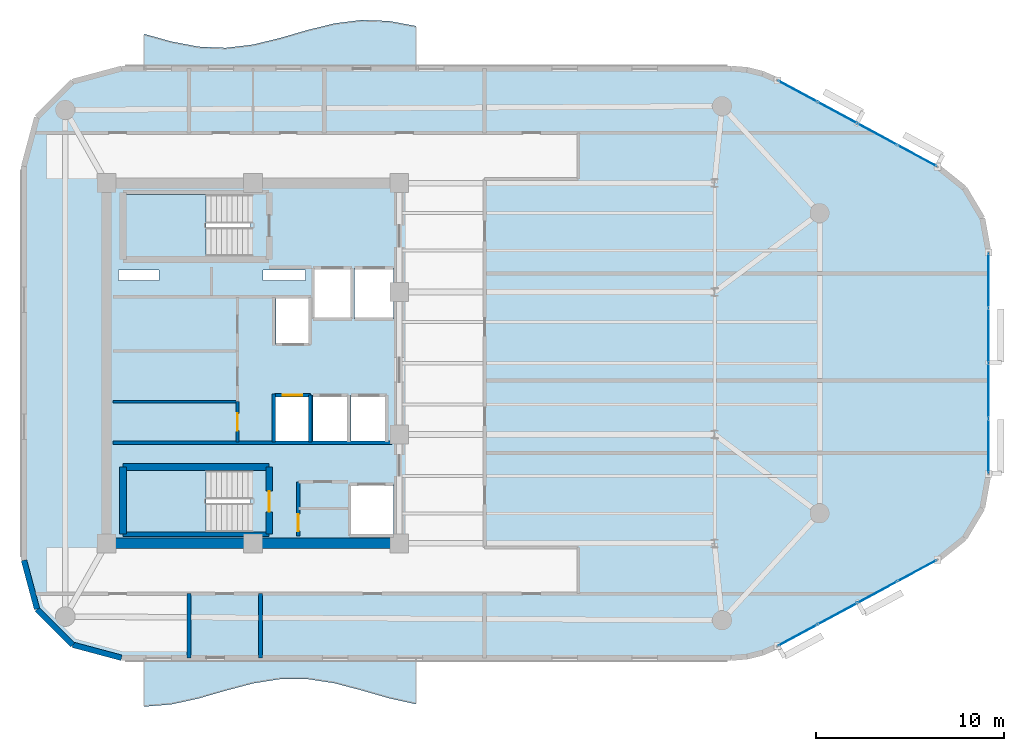
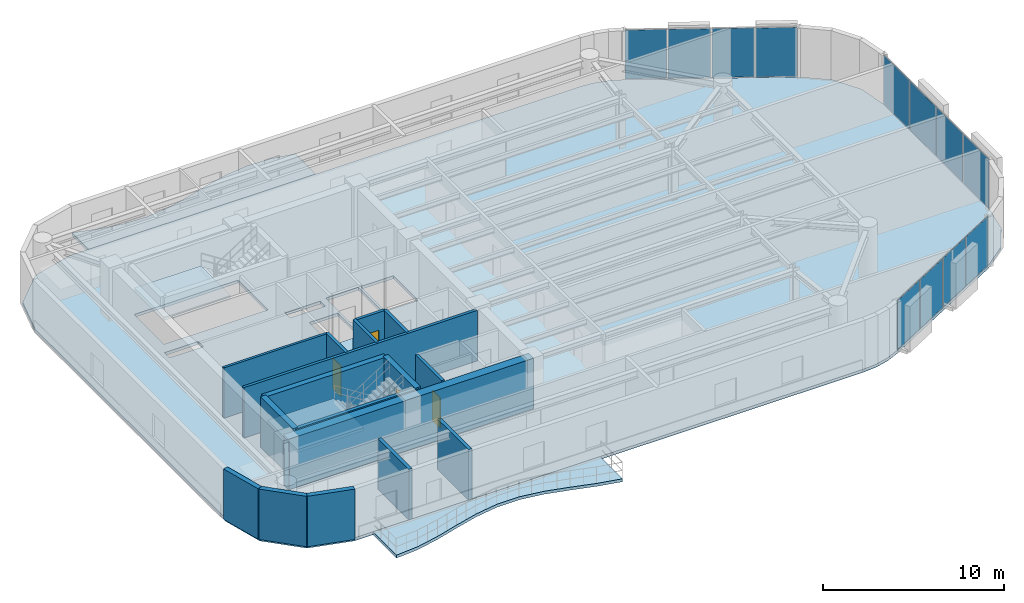
# One storey, part 8 of 13: 17 walls, 12 plates, 5 slabs, 4 doors, 4 openings, 5 elements without a shape of their own.
"""IFC4 building model written with IfcOpenShell, lengths in metres."""

import ifcopenshell
import ifcopenshell.guid

model = None  # the IFC model being written
_history = None  # IfcOwnerHistory: only IFC2X3 demands one
_inside = {}  # id of a spatial element -> (the spatial element, [elements in it])
_under = {}  # id of a project, library or spatial element -> (it, [spatial elements below it])
_declared = {}  # id of a project -> (the project, [libraries it declares])
_typed = {}  # id of a type object -> (the type object, [elements of that type])
_made_of = {}  # id of a material, layer set ... -> (it, [elements and type objects made of it])


def new_model(schema):
    """Start an empty IFC model of exactly this schema.

    Asked for "IFC4X3", IfcOpenShell would pick the latest addendum, in which some entities
    have other attributes; the version numbers below select the first issue.
    IFC2X3 requires an IfcOwnerHistory on every rooted entity: one is made here for all.
    """
    global model, _history
    if schema == "IFC4X3":
        model = ifcopenshell.file(schema_version=(4, 3, 0, 0))
    else:
        model = ifcopenshell.file(schema=schema)
    _inside.clear()
    _under.clear()
    _declared.clear()
    _typed.clear()
    _made_of.clear()
    _history = None
    if model.schema == "IFC2X3":
        org = make("IfcOrganization", Name="unknown")
        user = make(
            "IfcPersonAndOrganization",
            ThePerson=make("IfcPerson", FamilyName="unknown"),
            TheOrganization=org,
        )
        app = make(
            "IfcApplication",
            ApplicationDeveloper=org,
            Version="unknown",
            ApplicationFullName="unknown",
            ApplicationIdentifier="unknown",
        )
        _history = make(
            "IfcOwnerHistory",
            OwningUser=user,
            OwningApplication=app,
            ChangeAction="ADDED",
            CreationDate=0,
        )
    return model


def make(cls, **values):
    """One entity of the class cls with the attributes given. An attribute that is None is left unset."""
    return model.create_entity(
        cls, **{name: value for name, value in values.items() if value is not None}
    )


def rooted(cls, **values):
    """An entity with a GlobalId (a new one), such as an element, a storey or a relation."""
    return make(cls, GlobalId=ifcopenshell.guid.new(), OwnerHistory=_history, **values)


def si_unit(unit_type, name, prefix=None):
    """IfcSIUnit, for example si_unit("LENGTHUNIT", "METRE", prefix="MILLI")."""
    return make("IfcSIUnit", UnitType=unit_type, Prefix=prefix, Name=name)


def assignment(units):
    """IfcUnitAssignment: the units of a project."""
    return None if units is None else make("IfcUnitAssignment", Units=units)


def point(xyz):
    """IfcCartesianPoint."""
    return None if xyz is None else make("IfcCartesianPoint", Coordinates=xyz)


def direction(xyz):
    """IfcDirection."""
    return None if xyz is None else make("IfcDirection", DirectionRatios=xyz)


def frame(location, z_axis=None, x_axis=None):
    """IfcAxis2Placement3D, a coordinate frame: its origin and axes. An axis left out is left unset."""
    return make(
        "IfcAxis2Placement3D",
        Location=point(location),
        Axis=direction(z_axis),
        RefDirection=direction(x_axis),
    )


def frame_2d(location, x_axis=None):
    """IfcAxis2Placement2D, a coordinate frame in the plane: its origin and x axis."""
    return make(
        "IfcAxis2Placement2D", Location=point(location), RefDirection=direction(x_axis)
    )


def origin():
    """The frame at (0, 0, 0) with its axes left unset."""
    return frame((0.0, 0.0, 0.0))


def origin_2d():
    """The frame at (0, 0) in the plane with its x axis left unset."""
    return frame_2d((0.0, 0.0))


def place(relative_to, where):
    """IfcLocalPlacement: puts the frame where relative to a parent placement (None: the world)."""
    return make(
        "IfcLocalPlacement", PlacementRelTo=relative_to, RelativePlacement=where
    )


def context(
    kind, dimensions, precision=None, world=None, true_north=None, identifier=None
):
    """IfcGeometricRepresentationContext, for example the 3D "Model" context."""
    return make(
        "IfcGeometricRepresentationContext",
        ContextIdentifier=identifier,
        ContextType=kind,
        CoordinateSpaceDimension=dimensions,
        Precision=precision,
        WorldCoordinateSystem=world,
        TrueNorth=true_north,
    )


def subcontext(parent, identifier, kind, view, scale=None):
    """IfcGeometricRepresentationSubContext, for example "Body" below "Model"."""
    return make(
        "IfcGeometricRepresentationSubContext",
        ContextIdentifier=identifier,
        ContextType=kind,
        ParentContext=parent,
        TargetScale=scale,
        TargetView=view,
    )


def project(units=None, contexts=None):
    """IfcProject with its units and contexts."""
    return rooted(
        "IfcProject",
        Name="project",
        RepresentationContexts=contexts,
        UnitsInContext=assignment(units),
    )


def spatial(cls, under=None, at=None, **own):
    """A site, building, storey or space (cls), placed at a placement, below another one or the project."""
    s = rooted(cls, ObjectPlacement=at, **own)
    if under is not None:
        _under.setdefault(under.id(), (under, []))[1].append(s)
    return s


def polyline(points):
    """IfcPolyline through the points."""
    return make("IfcPolyline", Points=[point(p) for p in points])


def profile(cls, at=None, kind="AREA", **sizes):
    """A parametric profile (cls). Its sizes go by their IFC names, for example OverallWidth=200.0."""
    return make(cls, ProfileType=kind, Position=at, **sizes)


def rectangle(**sizes):
    """IfcRectangleProfileDef."""
    return profile("IfcRectangleProfileDef", **sizes)


def outline(outer, holes=None, kind="AREA"):
    """IfcArbitraryClosedProfileDef: a profile drawn as a closed curve; with holes, ...WithVoids."""
    if holes is None:
        return make("IfcArbitraryClosedProfileDef", ProfileType=kind, OuterCurve=outer)
    return make(
        "IfcArbitraryProfileDefWithVoids",
        ProfileType=kind,
        OuterCurve=outer,
        InnerCurves=holes,
    )


def extrude(swept, where, along, depth):
    """IfcExtrudedAreaSolid: the profile swept, set in the frame where, extruded along a direction by depth."""
    return make(
        "IfcExtrudedAreaSolid",
        SweptArea=swept,
        Position=where,
        ExtrudedDirection=direction(along),
        Depth=depth,
    )


def shape(context_of_items, identifier, shape_type, items):
    """IfcShapeRepresentation: the items that make up one representation, for example the "Body"."""
    return make(
        "IfcShapeRepresentation",
        ContextOfItems=context_of_items,
        RepresentationIdentifier=identifier,
        RepresentationType=shape_type,
        Items=items,
    )


def material(Name=None, Category=None):
    """IfcMaterial."""
    return make("IfcMaterial", Name=Name, Category=Category)


def layer(
    of_material, thickness, ventilated=None, Name=None, Category=None, Priority=None
):
    """IfcMaterialLayer: one layer of a wall or slab, of a material (None: an air gap)."""
    return make(
        "IfcMaterialLayer",
        Material=of_material,
        LayerThickness=thickness,
        IsVentilated=ventilated,
        Name=Name,
        Category=Category,
        Priority=Priority,
    )


def layer_set(layers, Name=None):
    """IfcMaterialLayerSet."""
    return make("IfcMaterialLayerSet", MaterialLayers=layers, LayerSetName=Name)


def made_of(thing, what):
    """Note that an element or type object is made of a material, layer set ...; save() writes the relation."""
    if what is not None:
        _made_of.setdefault(what.id(), (what, []))[1].append(thing)
    return thing


def type_object(cls, material=None, **own):
    """A type object (cls), such as IfcWallType, which elements share."""
    return made_of(rooted(cls, **own), material)


def element(
    cls,
    number,
    at=None,
    inside=None,
    cuts=None,
    type_object=None,
    material=None,
    context=None,
    identifier="Body",
    shape_type=None,
    held_by="IfcProductDefinitionShape",
    body=None,
    shapes=None,
    **own,
):
    """One element of the class cls, such as IfcWall. Its Tag is "e" and its number.

    at: its placement. inside: the storey or other place that contains it. cuts: it is an
    opening in that element (IfcRelVoidsElement). A single representation is given by context,
    identifier, shape_type and body (its items); several are given by shapes. held_by: the class
    of the entity that holds the representations. save() writes the other relations.
    """
    e = rooted(cls, Tag="e%d" % number, ObjectPlacement=at, **own)
    if body is not None:
        shapes = [shape(context, identifier, shape_type, body)]
    if shapes is not None:
        e.Representation = make(held_by, Representations=shapes)
    if inside is not None:
        _inside.setdefault(inside.id(), (inside, []))[1].append(e)
    if cuts is not None:
        rooted(
            "IfcRelVoidsElement", RelatingBuildingElement=cuts, RelatedOpeningElement=e
        )
    if type_object is not None:
        _typed.setdefault(type_object.id(), (type_object, []))[1].append(e)
    return made_of(e, material)


def fill(opening, filler):
    """IfcRelFillsElement: the door or window that sits in an opening."""
    return rooted(
        "IfcRelFillsElement",
        RelatingOpeningElement=opening,
        RelatedBuildingElement=filler,
    )


def aggregate(whole, parts):
    """IfcRelAggregates: a whole, such as a stair, and the parts it consists of."""
    return rooted("IfcRelAggregates", RelatingObject=whole, RelatedObjects=parts)


def save(model, path):
    """Write the relations noted so far, then the file.

    IfcRelAggregates (storeys below a building ...), IfcRelContainedInSpatialStructure (elements
    in a storey), IfcRelDefinesByType, IfcRelAssociatesMaterial and IfcRelDeclares: one each for
    every whole, place, type object, material and project.
    """
    for whole, parts in _under.values():
        aggregate(whole, parts)
    for where, things in _inside.values():
        rooted(
            "IfcRelContainedInSpatialStructure",
            RelatedElements=things,
            RelatingStructure=where,
        )
    for kind, things in _typed.values():
        rooted("IfcRelDefinesByType", RelatedObjects=things, RelatingType=kind)
    for what, things in _made_of.values():
        rooted("IfcRelAssociatesMaterial", RelatedObjects=things, RelatingMaterial=what)
    for by, libraries in _declared.values():
        rooted("IfcRelDeclares", RelatingContext=by, RelatedDefinitions=libraries)
    model.write(path)


model = new_model("IFC4")

# Units and contexts
model_context = context("Model", 3, precision=1e-05, world=origin(), true_north=direction((0.0, 1.0)))
body_context = subcontext(model_context, "Body", "Model", "MODEL_VIEW")
ifc_project = project(units=[si_unit("LENGTHUNIT", "METRE"), si_unit("AREAUNIT", "SQUARE_METRE"), si_unit("VOLUMEUNIT", "CUBIC_METRE"), si_unit("PLANEANGLEUNIT", "RADIAN"), si_unit("MASSUNIT", "GRAM", prefix="KILO")], contexts=[model_context])

# Site, building, storey
site_placement = place(None, origin())
site = spatial("IfcSite", under=ifc_project, at=site_placement, CompositionType="ELEMENT")
building_placement = place(site_placement, origin())
building = spatial("IfcBuilding", under=site, at=building_placement, Name="An Khanh Terracotta Commons", CompositionType="ELEMENT")
storey_placement = place(building_placement, frame((0.0, 0.0, 215.699951171875)))
storey = spatial("IfcBuildingStorey", under=building, at=storey_placement, Name="L56", CompositionType="ELEMENT", Elevation=215.699951171875)

# Curtain wall, plates
ifc_material_1 = material(Name="Anodised Aluminium 6063-T6", Category="aluminium")
ifc_layer_1 = layer(ifc_material_1, 0.2099609375, Name="Anodised Aluminium 6063-T6")
ifc_layer_set_1 = layer_set([ifc_layer_1], Name="Anodised Aluminium 6063-T6")
curtain_wall_type = type_object("IfcCurtainWallType", Name="CW-SYS-03", PredefinedType="USERDEFINED", material=ifc_layer_set_1)
curtain_wall_1_placement = place(storey_placement, origin())
curtain_wall_1 = element("IfcCurtainWall", 1, at=curtain_wall_1_placement, inside=storey, type_object=curtain_wall_type, Name="L56 CW-03 Unitised Curtain Wall CW-L56-08", ObjectType="UNITISED CURTAIN WALL", PredefinedType="USERDEFINED")
ifc_material_2 = material(Name="Acoustic Laminated Low-E Glazing", Category="glass")
ifc_layer_2 = layer(ifc_material_2, 0.035888671875, Name="Acoustic Laminated Low-E Glazing")
ifc_layer_set_2 = layer_set([ifc_layer_2], Name="Acoustic Laminated Low-E Glazing")
plate_type = type_object("IfcPlateType", Name="CWP-IGU-36", PredefinedType="CURTAIN_PANEL", material=ifc_layer_set_2)
plate_1_placement = place(storey_placement, frame((58.436767578125, 9.508544921875, 0.0498046875), z_axis=(0.0, 0.0, 1.0), x_axis=(0.879780095306, 0.47538088298, 0.0)))
plate_1 = element("IfcPlate", 2, at=plate_1_placement, type_object=plate_type, Name="CW-03 panel 1.1", PredefinedType="CURTAIN_PANEL", context=body_context, shape_type="SweptSolid", body=[
    extrude(rectangle(XDim=2.314697265625, YDim=0.035888671875, at=origin_2d()), origin(), (0.0, 0.0, 1.0), 3.300048828125),
])
plate_2_placement = place(storey_placement, frame((60.550048828125, 10.650390625, 0.0498046875), z_axis=(0.0, 0.0, 1.0), x_axis=(0.879780095306, 0.47538088298, 0.0)))
plate_2 = element("IfcPlate", 3, at=plate_2_placement, type_object=plate_type, Name="CW-03 panel 2.1", PredefinedType="CURTAIN_PANEL", context=body_context, shape_type="SweptSolid", body=[
    extrude(rectangle(XDim=2.349609375, YDim=0.035888671875, at=origin_2d()), origin(), (0.0, 0.0, 1.0), 3.300048828125),
])
plate_3_placement = place(storey_placement, frame((62.678955078125, 11.800537109375, 0.0498046875), z_axis=(0.0, 0.0, 1.0), x_axis=(0.879780095306, 0.47538088298, 0.0)))
plate_3 = element("IfcPlate", 4, at=plate_3_placement, type_object=plate_type, Name="CW-03 panel 3.1", PredefinedType="CURTAIN_PANEL", context=body_context, shape_type="SweptSolid", body=[
    extrude(rectangle(XDim=2.349609375, YDim=0.035888671875, at=origin_2d()), origin(), (0.0, 0.0, 1.0), 3.300048828125),
])
plate_4_placement = place(storey_placement, frame((64.792236328125, 12.942626953125, 0.0498046875), z_axis=(0.0, 0.0, 1.0), x_axis=(0.879780095306, 0.47538088298, 0.0)))
plate_4 = element("IfcPlate", 5, at=plate_4_placement, type_object=plate_type, Name="CW-03 panel 4.1", PredefinedType="CURTAIN_PANEL", context=body_context, shape_type="SweptSolid", body=[
    extrude(rectangle(XDim=2.314697265625, YDim=0.035888671875, at=origin_2d()), origin(), (0.0, 0.0, 1.0), 3.300048828125),
])
aggregate(curtain_wall_1, [plate_1, plate_2, plate_3, plate_4])

curtain_wall_2_placement = place(storey_placement, origin())
curtain_wall_2 = element("IfcCurtainWall", 6, at=curtain_wall_2_placement, inside=storey, type_object=curtain_wall_type, Name="L56 CW-03 Unitised Curtain Wall CW-L56-12", ObjectType="UNITISED CURTAIN WALL", PredefinedType="USERDEFINED")
plate_5_placement = place(storey_placement, frame((68.60009765625, 19.59326171875, 0.0498046875), z_axis=(0.0, 0.0, 1.0), x_axis=(0.0, 1.0, 0.0)))
plate_5 = element("IfcPlate", 7, at=plate_5_placement, type_object=plate_type, Name="CW-03 panel 1.1", PredefinedType="CURTAIN_PANEL", context=body_context, shape_type="SweptSolid", body=[
    extrude(rectangle(XDim=2.844482421875, YDim=0.035888671875, at=origin_2d()), origin(), (0.0, 0.0, 1.0), 3.300048828125),
])
plate_6_placement = place(storey_placement, frame((68.60009765625, 22.525146484375, 0.0498046875), z_axis=(0.0, 0.0, 1.0), x_axis=(0.0, 1.0, 0.0)))
plate_6 = element("IfcPlate", 8, at=plate_6_placement, type_object=plate_type, Name="CW-03 panel 2.1", PredefinedType="CURTAIN_PANEL", context=body_context, shape_type="SweptSolid", body=[
    extrude(rectangle(XDim=2.87939453125, YDim=0.035888671875, at=origin_2d()), origin(), (0.0, 0.0, 1.0), 3.300048828125),
])
plate_7_placement = place(storey_placement, frame((68.60009765625, 25.474853515625, 0.0498046875), z_axis=(0.0, 0.0, 1.0), x_axis=(0.0, 1.0, 0.0)))
plate_7 = element("IfcPlate", 9, at=plate_7_placement, type_object=plate_type, Name="CW-03 panel 3.1", PredefinedType="CURTAIN_PANEL", context=body_context, shape_type="SweptSolid", body=[
    extrude(rectangle(XDim=2.87939453125, YDim=0.035888671875, at=origin_2d()), origin(), (0.0, 0.0, 1.0), 3.300048828125),
])
plate_8_placement = place(storey_placement, frame((68.60009765625, 28.40673828125, 0.0498046875), z_axis=(0.0, 0.0, 1.0), x_axis=(0.0, 1.0, 0.0)))
plate_8 = element("IfcPlate", 10, at=plate_8_placement, type_object=plate_type, Name="CW-03 panel 4.1", PredefinedType="CURTAIN_PANEL", context=body_context, shape_type="SweptSolid", body=[
    extrude(rectangle(XDim=2.844482421875, YDim=0.035888671875, at=origin_2d()), origin(), (0.0, 0.0, 1.0), 3.300048828125),
])
aggregate(curtain_wall_2, [plate_5, plate_6, plate_7, plate_8])

curtain_wall_3_placement = place(storey_placement, origin())
curtain_wall_3 = element("IfcCurtainWall", 11, at=curtain_wall_3_placement, inside=storey, type_object=curtain_wall_type, Name="L56 CW-03 Unitised Curtain Wall CW-L56-16", ObjectType="UNITISED CURTAIN WALL", PredefinedType="USERDEFINED")
plate_9_placement = place(storey_placement, frame((64.792236328125, 35.057373046875, 0.0498046875), z_axis=(0.0, 0.0, 1.0), x_axis=(-0.879780095306, 0.47538088298, 0.0)))
plate_9 = element("IfcPlate", 12, at=plate_9_placement, type_object=plate_type, Name="CW-03 panel 1.1", PredefinedType="CURTAIN_PANEL", context=body_context, shape_type="SweptSolid", body=[
    extrude(rectangle(XDim=2.314697265625, YDim=0.035888671875, at=origin_2d()), origin(), (0.0, 0.0, 1.0), 3.300048828125),
])
plate_10_placement = place(storey_placement, frame((62.678955078125, 36.199462890625, 0.0498046875), z_axis=(0.0, 0.0, 1.0), x_axis=(-0.879780095306, 0.47538088298, 0.0)))
plate_10 = element("IfcPlate", 13, at=plate_10_placement, type_object=plate_type, Name="CW-03 panel 2.1", PredefinedType="CURTAIN_PANEL", context=body_context, shape_type="SweptSolid", body=[
    extrude(rectangle(XDim=2.349609375, YDim=0.035888671875, at=origin_2d()), origin(), (0.0, 0.0, 1.0), 3.300048828125),
])
plate_11_placement = place(storey_placement, frame((60.550048828125, 37.349609375, 0.0498046875), z_axis=(0.0, 0.0, 1.0), x_axis=(-0.879780095306, 0.47538088298, 0.0)))
plate_11 = element("IfcPlate", 14, at=plate_11_placement, type_object=plate_type, Name="CW-03 panel 3.1", PredefinedType="CURTAIN_PANEL", context=body_context, shape_type="SweptSolid", body=[
    extrude(rectangle(XDim=2.349609375, YDim=0.035888671875, at=origin_2d()), origin(), (0.0, 0.0, 1.0), 3.300048828125),
])
plate_12_placement = place(storey_placement, frame((58.436767578125, 38.491455078125, 0.0498046875), z_axis=(0.0, 0.0, 1.0), x_axis=(-0.879780095306, 0.47538088298, 0.0)))
plate_12 = element("IfcPlate", 15, at=plate_12_placement, type_object=plate_type, Name="CW-03 panel 4.1", PredefinedType="CURTAIN_PANEL", context=body_context, shape_type="SweptSolid", body=[
    extrude(rectangle(XDim=2.314697265625, YDim=0.035888671875, at=origin_2d()), origin(), (0.0, 0.0, 1.0), 3.300048828125),
])
aggregate(curtain_wall_3, [plate_9, plate_10, plate_11, plate_12])

# Slabs
ifc_material_3 = material(Name="Concrete C40/50", Category="concrete")
ifc_layer_3 = layer(ifc_material_3, 0.199951171875, Name="Concrete C40/50")
ifc_layer_set_3 = layer_set([ifc_layer_3], Name="Concrete C40/50")
slab_type_1 = type_object("IfcSlabType", Name="SLAB-BALC-200", PredefinedType="FLOOR", material=ifc_layer_set_3)
slab_1_placement = place(storey_placement, frame((0.0, 0.0, -0.199951171875)))
element("IfcSlab", 16, at=slab_1_placement, inside=storey, type_object=slab_type_1, Name="L56 S Sinusoidal Wave Balcony Slab", PredefinedType="FLOOR", context=body_context, shape_type="SweptSolid", body=[
    extrude(outline(polyline([(23.60009765625, 8.300048828125), (23.60009765625, 5.699951171875), (25.050048828125, 5.818115234375), (26.5, 6.135986328125), (27.949951171875, 6.552978515625), (29.39990234375, 6.93701171875), (30.85009765625, 7.16796875), (32.300048828125, 7.172119140625), (33.75, 6.947998046875), (35.199951171875, 6.56689453125), (36.64990234375, 6.14892578125), (38.10009765625, 5.825927734375), (38.10009765625, 8.300048828125), (23.60009765625, 8.300048828125)])), origin(), (0.0, 0.0, 1.0), 0.199951171875),
])
slab_2_placement = place(storey_placement, frame((0.0, 0.0, -0.199951171875)))
element("IfcSlab", 17, at=slab_2_placement, inside=storey, type_object=slab_type_1, Name="L56 N Sinusoidal Wave Balcony Slab", PredefinedType="FLOOR", context=body_context, shape_type="SweptSolid", body=[
    extrude(outline(polyline([(38.10009765625, 39.699951171875), (38.10009765625, 41.967041015625), (36.64990234375, 42.237060546875), (35.199951171875, 42.291015625), (33.75, 42.111083984375), (32.300048828125, 41.75390625), (30.85009765625, 41.33203125), (29.39990234375, 40.97998046875), (27.949951171875, 40.806884765625), (26.5, 40.868896484375), (25.050048828125, 41.14599609375), (23.60009765625, 41.550048828125), (23.60009765625, 39.699951171875), (38.10009765625, 39.699951171875)])), origin(), (0.0, 0.0, 1.0), 0.199951171875),
])

# Stair, slab
ifc_material_4 = material(Name="Precast concrete C40/50", Category="concrete")
stair_type = type_object("IfcStairType", Name="STAIR-CORE-1550", PredefinedType="HALF_TURN_STAIR", material=ifc_material_4)
stair_1_placement = place(storey_placement, origin())
stair_1 = element("IfcStair", 18, at=stair_1_placement, inside=storey, type_object=stair_type, Name="L56 Core Smokeproof Exit Stair ST-01", PredefinedType="HALF_TURN_STAIR")
ifc_layer_4 = layer(ifc_material_3, 0.18994140625, Name="Concrete C40/50")
ifc_layer_set_4 = layer_set([ifc_layer_4], Name="Concrete C40/50")
slab_type_2 = type_object("IfcSlabType", Name="SLAB-LANDING-190", PredefinedType="LANDING", material=ifc_layer_set_4)
slab_3_placement = place(storey_placement, frame((0.0, 0.0, 1.60009765625)))
slab_3 = element("IfcSlab", 19, at=slab_3_placement, type_object=slab_type_2, Name="ST-01 landing 1", PredefinedType="LANDING", context=body_context, shape_type="SweptSolid", body=[
    extrude(outline(polyline([(26.889892578125, 33.0), (22.64990234375, 33.0), (22.64990234375, 29.699951171875), (26.889892578125, 29.699951171875), (26.889892578125, 33.0)])), origin(), (0.0, 0.0, 1.0), 0.199951171875),
])
aggregate(stair_1, [slab_3])

stair_2_placement = place(storey_placement, origin())
stair_2 = element("IfcStair", 20, at=stair_2_placement, inside=storey, type_object=stair_type, Name="L56 Core Smokeproof Exit Stair ST-02", PredefinedType="HALF_TURN_STAIR")
slab_4_placement = place(storey_placement, frame((0.0, 0.0, 1.60009765625)))
slab_4 = element("IfcSlab", 21, at=slab_4_placement, type_object=slab_type_2, Name="ST-02 landing 1", PredefinedType="LANDING", context=body_context, shape_type="SweptSolid", body=[
    extrude(outline(polyline([(26.889892578125, 18.300048828125), (22.64990234375, 18.300048828125), (22.64990234375, 15.0), (26.889892578125, 15.0), (26.889892578125, 18.300048828125)])), origin(), (0.0, 0.0, 1.0), 0.199951171875),
])
aggregate(stair_2, [slab_4])

# Slab
ifc_layer_5 = layer(ifc_material_3, 0.199951171875, Name="Concrete C40/50")
ifc_layer_set_5 = layer_set([ifc_layer_5], Name="Concrete C40/50")
slab_type_3 = type_object("IfcSlabType", Name="SLAB-TYP-200", PredefinedType="FLOOR", material=ifc_layer_set_5)
slab_5_placement = place(storey_placement, frame((0.0, 0.0, -0.199951171875)))
element("IfcSlab", 22, at=slab_5_placement, inside=storey, type_object=slab_type_3, Name="L56 Structural Floor Slab", PredefinedType="FLOOR", context=body_context, shape_type="SweptSolid", body=[
    extrude(outline(polyline([(17.199951171875, 13.5), (17.89697265625, 10.89990234375), (19.800048828125, 8.9970703125), (22.39990234375, 8.300048828125), (54.885009765625, 8.300048828125), (55.739990234375, 8.37109375), (56.571044921875, 8.5810546875), (57.35693359375, 8.925048828125), (65.8720703125, 13.52587890625), (67.320068359375, 14.68408203125), (68.26904296875, 16.27587890625), (68.60009765625, 18.10107421875), (68.60009765625, 29.89892578125), (68.26904296875, 31.72412109375), (67.320068359375, 33.31591796875), (65.8720703125, 34.47412109375), (57.35693359375, 39.074951171875), (56.571044921875, 39.4189453125), (55.739990234375, 39.62890625), (54.885009765625, 39.699951171875), (22.39990234375, 39.699951171875), (19.800048828125, 39.0029296875), (17.89697265625, 37.10009765625), (17.199951171875, 34.5), (17.199951171875, 13.5)]), holes=[polyline([(22.64990234375, 29.699951171875), (29.27001953125, 29.699951171875), (29.27001953125, 33.0), (22.64990234375, 33.0), (22.64990234375, 29.699951171875)]), polyline([(22.64990234375, 15.0), (29.27001953125, 15.0), (29.27001953125, 18.300048828125), (22.64990234375, 18.300048828125), (22.64990234375, 15.0)]), polyline([(32.60009765625, 26.35009765625), (34.679931640625, 26.35009765625), (34.679931640625, 29.080078125), (32.60009765625, 29.080078125), (32.60009765625, 26.35009765625)]), polyline([(34.820068359375, 26.35009765625), (36.89990234375, 26.35009765625), (36.89990234375, 29.080078125), (34.820068359375, 29.080078125), (34.820068359375, 26.35009765625)]), polyline([(34.550048828125, 14.800048828125), (36.89990234375, 14.800048828125), (36.89990234375, 17.550048828125), (34.550048828125, 17.550048828125), (34.550048828125, 14.800048828125)]), polyline([(30.639892578125, 25.0), (32.4599609375, 25.0), (32.4599609375, 27.5), (30.639892578125, 27.5), (30.639892578125, 25.0)]), polyline([(30.56005859375, 19.800048828125), (32.4599609375, 19.800048828125), (32.4599609375, 22.300048828125), (30.56005859375, 22.300048828125), (30.56005859375, 19.800048828125)]), polyline([(32.60009765625, 19.800048828125), (34.5, 19.800048828125), (34.5, 22.300048828125), (32.60009765625, 22.300048828125), (32.60009765625, 19.800048828125)]), polyline([(34.639892578125, 19.800048828125), (36.5400390625, 19.800048828125), (36.5400390625, 22.300048828125), (34.639892578125, 22.300048828125), (34.639892578125, 19.800048828125)]), polyline([(22.25, 28.419921875), (24.39990234375, 28.419921875), (24.39990234375, 28.97998046875), (22.25, 28.97998046875), (22.25, 28.419921875)]), polyline([(29.949951171875, 28.419921875), (32.199951171875, 28.419921875), (32.199951171875, 28.97998046875), (29.949951171875, 28.97998046875), (29.949951171875, 28.419921875)])]), origin(), (0.0, 0.0, 1.0), 0.199951171875),
])

# Walls
ifc_material_5 = material(Name="Concrete C50/60", Category="concrete")
ifc_layer_6 = layer(ifc_material_5, 0.550048828125, Name="Concrete C50/60")
ifc_layer_set_6 = layer_set([ifc_layer_6], Name="Concrete C50/60")
wall_type_1 = type_object("IfcWallType", Name="WALL-CORE-550", PredefinedType="SHEAR", material=ifc_layer_set_6)
wall_1_placement = place(storey_placement, frame((37.199951171875, 14.39990234375, 0.0), z_axis=(0.0, 0.0, 1.0), x_axis=(-1.0, 0.0, 0.0)))
element("IfcWall", 23, at=wall_1_placement, inside=storey, type_object=wall_type_1, Name="L56 Core Wall CWALL-L56-S", PredefinedType="SHEAR", context=body_context, shape_type="SweptSolid", body=[
    extrude(rectangle(XDim=15.599853515625, YDim=0.550048828125, at=frame_2d((7.7998046875, 0.0))), origin(), (0.0, 0.0, 1.0), 3.400146484375),
])
ifc_material_6 = material(Name="Fire-Rated Gypsum Board on Steel Stud", Category="steel")
ifc_layer_7 = layer(ifc_material_6, 0.179931640625, Name="Fire-Rated Gypsum Board on Steel Stud")
ifc_layer_set_7 = layer_set([ifc_layer_7], Name="Fire-Rated Gypsum Board on Steel Stud")
wall_type_2 = type_object("IfcWallType", Name="WALL-CORR-180", PredefinedType="PARTITIONING", material=ifc_layer_set_7)
wall_2_placement = place(storey_placement, frame((21.949951171875, 19.760009765625, 0.0), z_axis=(0.0, 0.0, 1.0), x_axis=(1.0, 0.0, 0.0)))
element("IfcWall", 24, at=wall_2_placement, inside=storey, type_object=wall_type_2, Name="L56 Core Wall SVW-L56-N", PredefinedType="PARTITIONING", context=body_context, shape_type="SweptSolid", body=[
    extrude(rectangle(XDim=14.8701171875, YDim=0.179931640625, at=frame_2d((7.43505859375, 0.0))), origin(), (0.0, 0.0, 1.0), 3.400146484375),
])

# Wall, opening, door
wall_3_placement = place(storey_placement, frame((31.820068359375, 14.800048828125, 0.0), z_axis=(0.0, 0.0, 1.0), x_axis=(0.0, 1.0, 0.0)))
wall_3 = element("IfcWall", 25, at=wall_3_placement, inside=storey, type_object=wall_type_2, Name="L56 Core Wall SSVCW-L56-W", PredefinedType="PARTITIONING", context=body_context, shape_type="SweptSolid", body=[
    extrude(rectangle(XDim=2.8798828125, YDim=0.179931640625, at=frame_2d((1.43994140625, 0.0))), origin(), (0.0, 0.0, 1.0), 3.400146484375),
])
opening_1_placement = place(wall_3_placement, frame((0.260009765625, 0.0, 0.0)))
opening_1 = element("IfcOpeningElement", 26, at=opening_1_placement, cuts=wall_3, Name="Opening D-SV", PredefinedType="OPENING", context=body_context, shape_type="SweptSolid", body=[
    extrude(rectangle(XDim=0.89990234375, YDim=2.050048828125, at=frame_2d((0.449951171875, 1.02490234375))), frame((0.0, 0.099853515625, 0.0), z_axis=(0.0, -1.0, 0.0), x_axis=(1.0, 0.0, 0.0)), (0.0, 0.0, 1.0), 0.199951171875),
])
ifc_material_7 = material(Name="Fire-Rated Powder-Coated Steel Door", Category="steel")
door_type_1 = type_object("IfcDoorType", Name="DOOR-SERV-900", OperationType="NOTDEFINED", PredefinedType="DOOR", material=ifc_material_7)
door_1_placement = place(opening_1_placement, origin())
door_1 = element("IfcDoor", 27, at=door_1_placement, inside=storey, type_object=door_type_1, Name="L56 Telecoms BMS Cupboard Door", OperationType="SINGLE_SWING_RIGHT", OverallHeight=2.050048828125, OverallWidth=0.89990234375, PredefinedType="DOOR", context=body_context, shape_type="SweptSolid", body=[
    extrude(rectangle(XDim=0.89990234375, YDim=2.050048828125, at=frame_2d((0.449951171875, 1.02490234375))), frame((0.0, 0.02490234375, 0.0), z_axis=(0.0, -1.0, 0.0), x_axis=(1.0, 0.0, 0.0)), (0.0, 0.0, 1.0), 0.050048828125),
])
fill(opening_1, door_1)

wall_4_placement = place(storey_placement, frame((30.56005859375, 22.300048828125, 0.0), z_axis=(0.0, 0.0, 1.0), x_axis=(1.0, 0.0, 0.0)))
wall_4 = element("IfcWall", 28, at=wall_4_placement, inside=storey, type_object=wall_type_2, Name="L56 Core Wall LSH-L56-PL-H2-N", PredefinedType="PARTITIONING", context=body_context, shape_type="SweptSolid", body=[
    extrude(rectangle(XDim=1.89990234375, YDim=0.179931640625, at=frame_2d((0.949951171875, 0.0))), origin(), (0.0, 0.0, 1.0), 3.400146484375),
])
opening_2_placement = place(wall_4_placement, frame((0.425048828125, 0.0, 0.0)))
opening_2 = element("IfcOpeningElement", 29, at=opening_2_placement, cuts=wall_4, Name="Opening LD-PL-H2-L56", PredefinedType="OPENING", context=body_context, shape_type="SweptSolid", body=[
    extrude(rectangle(XDim=1.050048828125, YDim=2.199951171875, at=frame_2d((0.52490234375, 1.10009765625))), frame((0.0, 0.099853515625, 0.0), z_axis=(0.0, -1.0, 0.0), x_axis=(1.0, 0.0, 0.0)), (0.0, 0.0, 1.0), 0.199951171875),
])
ifc_material_8 = material(Name="Brushed Stainless Steel High-Rise Landing Door", Category="steel")
door_type_2 = type_object("IfcDoorType", Name="DOOR-LD-PAXH-1050", OperationType="NOTDEFINED", PredefinedType="DOOR", material=ifc_material_8)
door_2_placement = place(opening_2_placement, origin())
door_2 = element("IfcDoor", 30, at=door_2_placement, inside=storey, type_object=door_type_2, Name="L56 Lift PL-H2 Sliding Landing Door", OperationType="DOUBLE_DOOR_SLIDING", OverallHeight=2.199951171875, OverallWidth=1.050048828125, PredefinedType="DOOR", context=body_context, shape_type="SweptSolid", body=[
    extrude(rectangle(XDim=1.050048828125, YDim=2.199951171875, at=frame_2d((0.52490234375, 1.10009765625))), frame((0.0, 0.02490234375, 0.0), z_axis=(0.0, -1.0, 0.0), x_axis=(1.0, 0.0, 0.0)), (0.0, 0.0, 1.0), 0.050048828125),
])
fill(opening_2, door_2)

# Walls
wall_5_placement = place(storey_placement, frame((32.4599609375, 19.800048828125, 0.0), z_axis=(0.0, 0.0, 1.0), x_axis=(0.0, 1.0, 0.0)))
element("IfcWall", 31, at=wall_5_placement, inside=storey, type_object=wall_type_2, Name="L56 Core Wall LSH-L56-PL-H2-E", PredefinedType="PARTITIONING", context=body_context, shape_type="SweptSolid", body=[
    extrude(rectangle(XDim=2.5, YDim=0.179931640625, at=frame_2d((1.25, 0.0))), origin(), (0.0, 0.0, 1.0), 3.400146484375),
])
wall_6_placement = place(storey_placement, frame((30.52001953125, 19.800048828125, 0.0), z_axis=(0.0, 0.0, 1.0), x_axis=(0.0, 1.0, 0.0)))
element("IfcWall", 32, at=wall_6_placement, inside=storey, type_object=wall_type_2, Name="L56 Core Wall RECW-L56-BE2", PredefinedType="PARTITIONING", context=body_context, shape_type="SweptSolid", body=[
    extrude(rectangle(XDim=2.550048828125, YDim=0.179931640625, at=frame_2d((1.27490234375, 0.0))), origin(), (0.0, 0.0, 1.0), 3.400146484375),
])

# Wall, opening, door
wall_7_placement = place(storey_placement, frame((28.580078125, 19.800048828125, 0.0), z_axis=(0.0, 0.0, 1.0), x_axis=(0.0, 1.0, 0.0)))
wall_7 = element("IfcWall", 33, at=wall_7_placement, inside=storey, type_object=wall_type_2, Name="L56 Core Wall RECW-L56-E3", PredefinedType="PARTITIONING", context=body_context, shape_type="SweptSolid", body=[
    extrude(rectangle(XDim=2.14990234375, YDim=0.179931640625, at=frame_2d((1.074951171875, 0.0))), origin(), (0.0, 0.0, 1.0), 3.400146484375),
])
opening_3_placement = place(wall_7_placement, frame((0.614990234375, 0.0, 0.0)))
opening_3 = element("IfcOpeningElement", 34, at=opening_3_placement, cuts=wall_7, Name="Opening D-RM", PredefinedType="OPENING", context=body_context, shape_type="SweptSolid", body=[
    extrude(rectangle(XDim=0.919921875, YDim=2.10009765625, at=frame_2d((0.4599609375, 1.050048828125))), frame((0.0, 0.099853515625, 0.0), z_axis=(0.0, -1.0, 0.0), x_axis=(1.0, 0.0, 0.0)), (0.0, 0.0, 1.0), 0.199951171875),
])
ifc_material_9 = material(Name="Engineered Hardwood Timber Leaf", Category="wood")
door_type_3 = type_object("IfcDoorType", Name="DOOR-INT-920", OperationType="NOTDEFINED", PredefinedType="DOOR", material=ifc_material_9)
door_3_placement = place(opening_3_placement, origin())
door_3 = element("IfcDoor", 35, at=door_3_placement, inside=storey, type_object=door_type_3, Name="L56 Communal Laundry Room Door", OperationType="SINGLE_SWING_LEFT", OverallHeight=2.10009765625, OverallWidth=0.919921875, PredefinedType="DOOR", context=body_context, shape_type="SweptSolid", body=[
    extrude(rectangle(XDim=0.919921875, YDim=2.10009765625, at=frame_2d((0.4599609375, 1.050048828125))), frame((0.0, 0.02490234375, 0.0), z_axis=(0.0, -1.0, 0.0), x_axis=(1.0, 0.0, 0.0)), (0.0, 0.0, 1.0), 0.050048828125),
])
fill(opening_3, door_3)

# Walls
ifc_layer_8 = layer(ifc_material_4, 0.300048828125, Name="Precast concrete C40/50")
ifc_layer_set_8 = layer_set([ifc_layer_8], Name="Precast concrete C40/50")
wall_type_3 = type_object("IfcWallType", Name="WALL-EXT-300", PredefinedType="SOLIDWALL", material=ifc_layer_set_8)
wall_8_placement = place(storey_placement, frame((17.199951171875, 13.5, 0.0), z_axis=(0.0, 0.0, 1.0), x_axis=(0.258932525951, -0.965895412042, 0.0)))
element("IfcWall", 36, at=wall_8_placement, inside=storey, type_object=wall_type_3, Name="L56 Insulated Terracotta Exterior Wall 1", PredefinedType="SOLIDWALL", context=body_context, shape_type="SweptSolid", body=[
    extrude(rectangle(XDim=2.69189453125, YDim=0.300048828125, at=frame_2d((1.345947265625, 0.0))), origin(), (0.0, 0.0, 1.0), 3.400146484375),
])
wall_9_placement = place(storey_placement, frame((17.89697265625, 10.89990234375, 0.0), z_axis=(0.0, 0.0, 1.0), x_axis=(0.707152139074, -0.70706142039, 0.0)))
element("IfcWall", 37, at=wall_9_placement, inside=storey, type_object=wall_type_3, Name="L56 Insulated Terracotta Exterior Wall 2", PredefinedType="SOLIDWALL", context=body_context, shape_type="SweptSolid", body=[
    extrude(rectangle(XDim=2.691162109375, YDim=0.300048828125, at=frame_2d((1.345703125, 0.0))), origin(), (0.0, 0.0, 1.0), 3.400146484375),
])
wall_10_placement = place(storey_placement, frame((19.800048828125, 8.9970703125, 0.0), z_axis=(0.0, 0.0, 1.0), x_axis=(0.965889330541, -0.258955210695, 0.0)))
element("IfcWall", 38, at=wall_10_placement, inside=storey, type_object=wall_type_3, Name="L56 Insulated Terracotta Exterior Wall 3", PredefinedType="SOLIDWALL", context=body_context, shape_type="SweptSolid", body=[
    extrude(rectangle(XDim=2.691650390625, YDim=0.300048828125, at=frame_2d((1.345703125, 0.0))), origin(), (0.0, 0.0, 1.0), 3.400146484375),
])
ifc_material_10 = material(Name="Acoustic Gypsum Board Partition")
ifc_layer_9 = layer(ifc_material_10, 0.14990234375, Name="Acoustic Gypsum Board Partition")
ifc_layer_set_9 = layer_set([ifc_layer_9], Name="Acoustic Gypsum Board Partition")
wall_type_4 = type_object("IfcWallType", Name="WALL-PART-150", PredefinedType="PARTITIONING", material=ifc_layer_set_9)
wall_11_placement = place(storey_placement, frame((21.949951171875, 21.949951171875, 0.0), z_axis=(0.0, 0.0, 1.0), x_axis=(1.0, 0.0, 0.0)))
element("IfcWall", 39, at=wall_11_placement, inside=storey, type_object=wall_type_4, Name="L56 Core Wall RECW-L56-H2", PredefinedType="PARTITIONING", context=body_context, shape_type="SweptSolid", body=[
    extrude(rectangle(XDim=6.630126953125, YDim=0.14990234375, at=frame_2d((3.31494140625, 0.0))), origin(), (0.0, 0.0, 1.0), 3.400146484375),
])
ifc_material_11 = material(Name="Acoustic Double-Stud Gypsum and Mineral Wool")
ifc_layer_10 = layer(ifc_material_11, 0.219970703125, Name="Acoustic Double-Stud Gypsum and Mineral Wool")
ifc_layer_set_10 = layer_set([ifc_layer_10], Name="Acoustic Double-Stud Gypsum and Mineral Wool")
wall_type_5 = type_object("IfcWallType", Name="WALL-PARTY-220", PredefinedType="PARTITIONING", material=ifc_layer_set_10)
wall_12_placement = place(storey_placement, frame((22.47998046875, 14.889892578125, 0.0), z_axis=(0.0, 0.0, 1.0), x_axis=(1.0, 0.0, 0.0)))
element("IfcWall", 40, at=wall_12_placement, inside=storey, type_object=wall_type_5, Name="L56 Core Wall STW-L56-S-S", PredefinedType="PARTITIONING", context=body_context, shape_type="SweptSolid", body=[
    extrude(rectangle(XDim=7.7900390625, YDim=0.219970703125, at=frame_2d((3.89501953125, 0.0))), origin(), (0.0, 0.0, 1.0), 3.400146484375),
])
for number, where, z_axis, x_axis, name in (
    (41, (26.0, 8.300048828125, 0.0), (0.0, 0.0, 1.0), (0.0, 1.0, 0.0), "L56 Interior Partition IW-L56-E008"),
    (42, (29.800048828125, 8.300048828125, 0.0), (0.0, 0.0, 1.0), (0.0, 1.0, 0.0), "L56 Interior Partition IW-L56-E011"),
):
    element("IfcWall", number, at=place(storey_placement, frame(where, z_axis=z_axis, x_axis=x_axis)), inside=storey, type_object=wall_type_5, Name=name, PredefinedType="PARTITIONING", context=body_context, shape_type="SweptSolid", body=[
        extrude(rectangle(XDim=3.419921875, YDim=0.219970703125, at=frame_2d((1.7099609375, 0.0))), origin(), (0.0, 0.0, 1.0), 3.400146484375),
    ])
ifc_layer_11 = layer(ifc_material_5, 0.35009765625, Name="Concrete C50/60")
ifc_layer_set_11 = layer_set([ifc_layer_11], Name="Concrete C50/60")
wall_type_6 = type_object("IfcWallType", Name="WALL-SHAFT-350", PredefinedType="SOLIDWALL", material=ifc_layer_set_11)
wall_13_placement = place(storey_placement, frame((22.47998046875, 18.469970703125, 0.0), z_axis=(0.0, 0.0, 1.0), x_axis=(1.0, 0.0, 0.0)))
element("IfcWall", 43, at=wall_13_placement, inside=storey, type_object=wall_type_6, Name="L56 Core Wall STW-L56-S-N", PredefinedType="SOLIDWALL", context=body_context, shape_type="SweptSolid", body=[
    extrude(rectangle(XDim=7.7900390625, YDim=0.35009765625, at=frame_2d((3.89501953125, 0.0))), origin(), (0.0, 0.0, 1.0), 3.400146484375),
])
wall_14_placement = place(storey_placement, frame((22.47998046875, 14.889892578125, 0.0), z_axis=(0.0, 0.0, 1.0), x_axis=(0.0, 1.0, 0.0)))
element("IfcWall", 44, at=wall_14_placement, inside=storey, type_object=wall_type_6, Name="L56 Core Wall STW-L56-S-W", PredefinedType="SOLIDWALL", context=body_context, shape_type="SweptSolid", body=[
    extrude(rectangle(XDim=3.580078125, YDim=0.35009765625, at=frame_2d((1.7900390625, 0.0))), origin(), (0.0, 0.0, 1.0), 3.400146484375),
])

# Wall, opening, door
wall_15_placement = place(storey_placement, frame((30.27001953125, 14.889892578125, 0.0), z_axis=(0.0, 0.0, 1.0), x_axis=(0.0, 1.0, 0.0)))
wall_15 = element("IfcWall", 45, at=wall_15_placement, inside=storey, type_object=wall_type_6, Name="L56 Core Wall STW-L56-S-E", PredefinedType="SOLIDWALL", context=body_context, shape_type="SweptSolid", body=[
    extrude(rectangle(XDim=3.580078125, YDim=0.35009765625, at=frame_2d((1.7900390625, 0.0))), origin(), (0.0, 0.0, 1.0), 3.400146484375),
])
opening_4_placement = place(wall_15_placement, frame((1.18994140625, 0.0, 0.0)))
opening_4 = element("IfcOpeningElement", 46, at=opening_4_placement, cuts=wall_15, Name="Opening D-ST", PredefinedType="OPENING", context=body_context, shape_type="SweptSolid", body=[
    extrude(rectangle(XDim=1.10009765625, YDim=2.14990234375, at=frame_2d((0.550048828125, 1.074951171875))), frame((0.0, 0.18505859375, 0.0), z_axis=(0.0, -1.0, 0.0), x_axis=(1.0, 0.0, 0.0)), (0.0, 0.0, 1.0), 0.3701171875),
])
ifc_material_12 = material(Name="Fire-Rated Steel Leaf and Frame", Category="steel")
door_type_4 = type_object("IfcDoorType", Name="DOOR-STAIR-1100", OperationType="NOTDEFINED", PredefinedType="DOOR", material=ifc_material_12)
door_4_placement = place(opening_4_placement, origin())
door_4 = element("IfcDoor", 47, at=door_4_placement, inside=storey, type_object=door_type_4, Name="L56 Stair ST-02 Fire Door", OperationType="SINGLE_SWING_RIGHT", OverallHeight=2.14990234375, OverallWidth=1.10009765625, PredefinedType="DOOR", context=body_context, shape_type="SweptSolid", body=[
    extrude(rectangle(XDim=1.10009765625, YDim=2.14990234375, at=frame_2d((0.550048828125, 1.074951171875))), frame((0.0, 0.02490234375, 0.0), z_axis=(0.0, -1.0, 0.0), x_axis=(1.0, 0.0, 0.0)), (0.0, 0.0, 1.0), 0.050048828125),
])
fill(opening_4, door_4)

save(model, "model.ifc")
